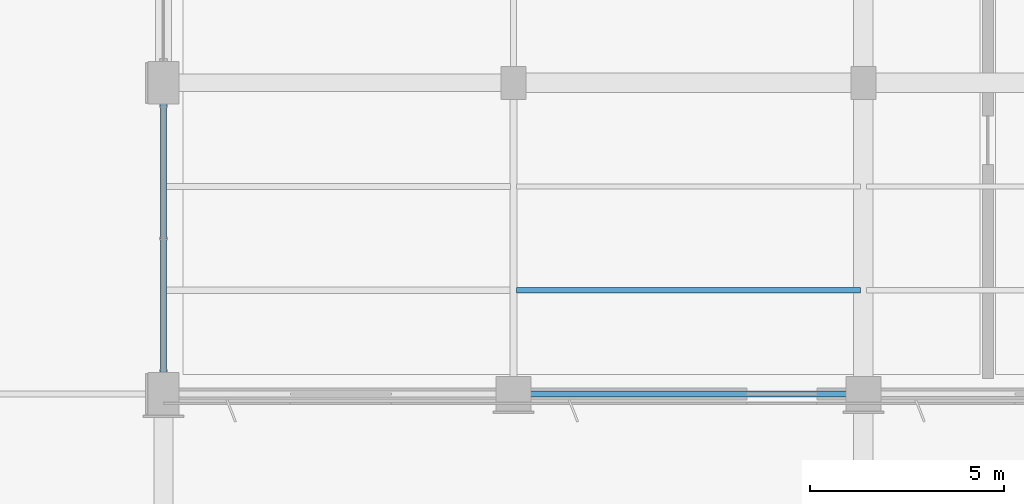
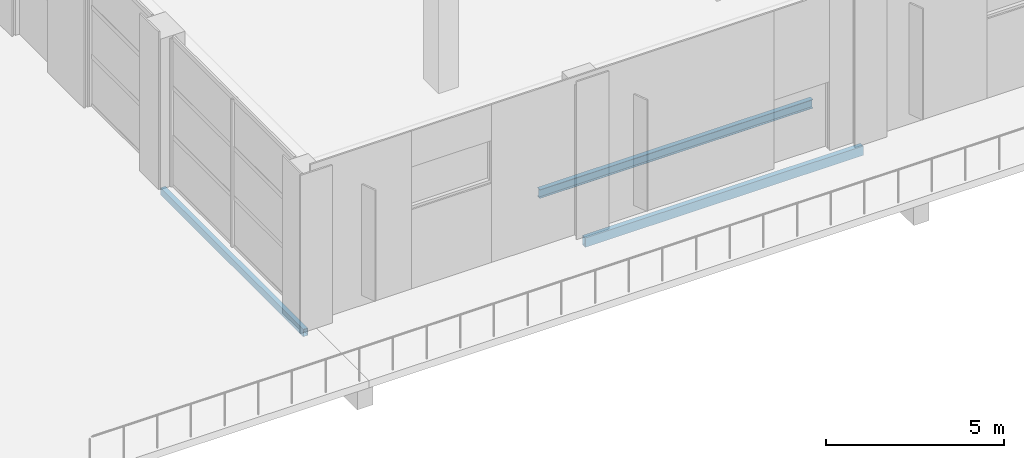
# One storey, part 34 of 90: 3 beams.
"""IFC4 building model written with IfcOpenShell, lengths in metres."""

from ifc_helpers import new_model, si_unit, direction, frame, origin, origin_2d, place, context, subcontext, project, spatial, hollow_rectangle, i_section, extrude, material, material_profile, profile_set, type_object, element, save


model = new_model("IFC4")

# Units and contexts
model_context = context("Model", 3, precision=1e-05, world=origin(), true_north=direction((0.0, 1.0)))
body_context = subcontext(model_context, "Body", "Model", "MODEL_VIEW")
ifc_project = project(units=[si_unit("LENGTHUNIT", "METRE"), si_unit("AREAUNIT", "SQUARE_METRE"), si_unit("VOLUMEUNIT", "CUBIC_METRE"), si_unit("PLANEANGLEUNIT", "RADIAN"), si_unit("MASSUNIT", "GRAM", prefix="KILO")], contexts=[model_context])

# Site, building, storey
site_placement = place(None, origin())
site = spatial("IfcSite", under=ifc_project, at=site_placement, CompositionType="ELEMENT")
building_placement = place(site_placement, origin())
building = spatial("IfcBuilding", under=site, at=building_placement, Name="Solvikara Media Centre", CompositionType="ELEMENT")
storey_placement = place(building_placement, origin())
storey = spatial("IfcBuildingStorey", under=building, at=storey_placement, Name="L00", CompositionType="ELEMENT", Elevation=0.0)

# Beams
ifc_material = material(Name="Steel S355JR", Category="steel")
ifc_material_profile_1 = material_profile(ifc_material, hollow_rectangle(XDim=0.14990234375, YDim=0.25, WallThickness=0.008056640625, at=origin_2d()), Name="RHS 250x150x8")
ifc_profile_set_1 = profile_set([ifc_material_profile_1], Name="Steel S355JR")
beam_type_1 = type_object("IfcBeamType", Name="BM-36", PredefinedType="JOIST", material=ifc_profile_set_1)
beam_1_placement = place(storey_placement, frame((127.5, 0.0, -0.507080078125), z_axis=(0.0, 1.0, 0.0), x_axis=(-1.0, 0.0, 0.0)))
element("IfcBeam", 1, at=beam_1_placement, inside=storey, type_object=beam_type_1, Name="B-L00-Y0192", PredefinedType="JOIST", context=body_context, shape_type="SweptSolid", body=[
    extrude(hollow_rectangle(XDim=0.14990234375, YDim=0.25, WallThickness=0.008056640625, at=origin_2d()), origin(), (0.0, 0.0, 1.0), 8.0),
])
ifc_material_profile_2 = material_profile(ifc_material, i_section(OverallWidth=0.14892578125, OverallDepth=0.298095703125, WebThickness=0.005615234375, FlangeThickness=0.008056640625, at=origin_2d()), Name="WF 298x149x5.5x8")
ifc_profile_set_2 = profile_set([ifc_material_profile_2], Name="Steel S355JR")
beam_type_2 = type_object("IfcBeamType", Name="BM-39", PredefinedType="JOIST", material=ifc_profile_set_2)
beam_2_placement = place(storey_placement, frame((136.577880859375, 2.6669921875, -0.531005859375), z_axis=(1.0, 0.0, 0.0), x_axis=(0.0, 1.0, 0.0)))
element("IfcBeam", 2, at=beam_2_placement, inside=storey, type_object=beam_type_2, Name="J-L00-0399", PredefinedType="JOIST", context=body_context, shape_type="SweptSolid", body=[
    extrude(i_section(OverallWidth=0.14892578125, OverallDepth=0.298095703125, WebThickness=0.005615234375, FlangeThickness=0.008056640625, at=origin_2d()), origin(), (0.0, 0.0, 1.0), 8.84423828125),
])
ifc_material_profile_3 = material_profile(ifc_material, hollow_rectangle(XDim=0.159912109375, YDim=0.320068359375, WallThickness=0.010009765625, at=origin_2d()), Name="RHS 320x160x10")
ifc_profile_set_3 = profile_set([ifc_material_profile_3], Name="Steel S355JR")
beam_type_3 = type_object("IfcBeamType", Name="BM-45", PredefinedType="SPANDREL", material=ifc_profile_set_3)
beam_3_placement = place(storey_placement, frame((136.5, 0.0, -0.5419921875), z_axis=(1.0, 0.0, 0.0), x_axis=(0.0, 1.0, 0.0)))
element("IfcBeam", 3, at=beam_3_placement, inside=storey, type_object=beam_type_3, Name="B-L00-X0015", PredefinedType="SPANDREL", context=body_context, shape_type="SweptSolid", body=[
    extrude(hollow_rectangle(XDim=0.159912109375, YDim=0.320068359375, WallThickness=0.010009765625, at=origin_2d()), origin(), (0.0, 0.0, 1.0), 9.0),
])

save(model, "model.ifc")
